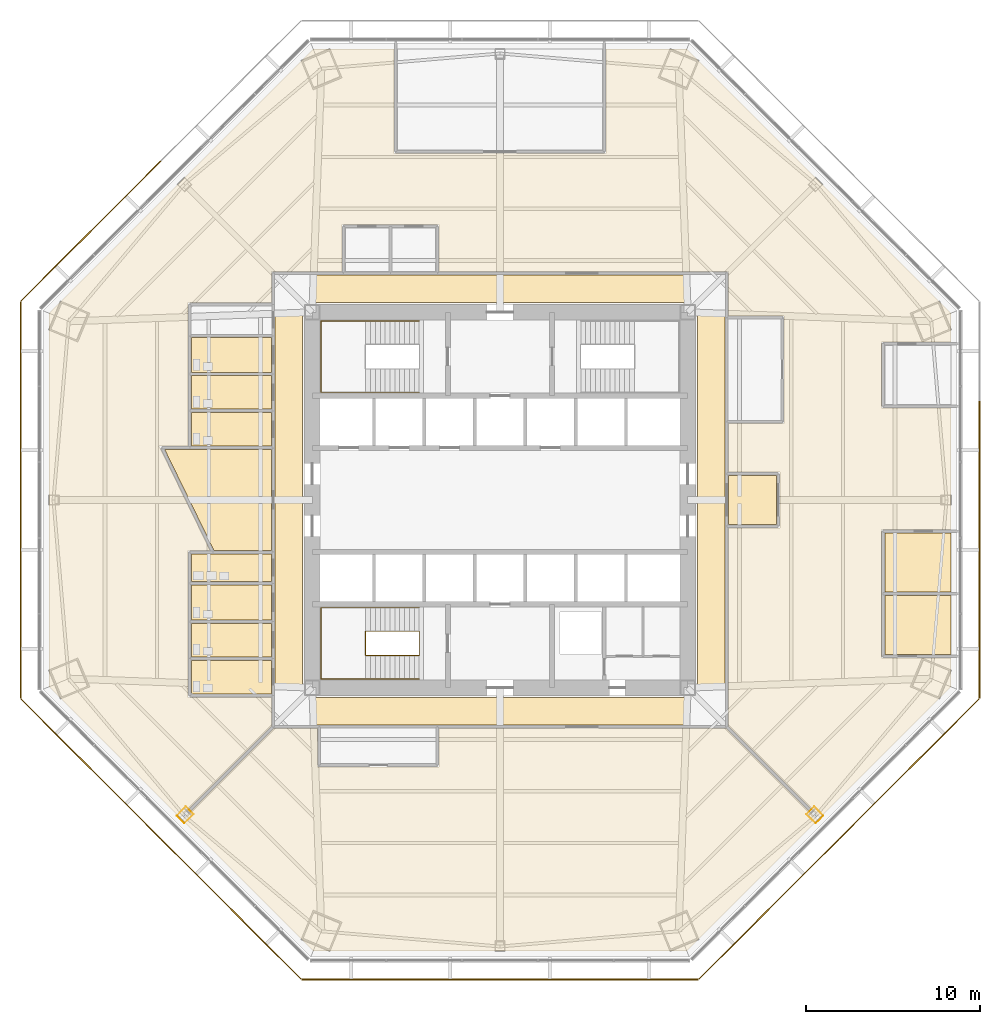
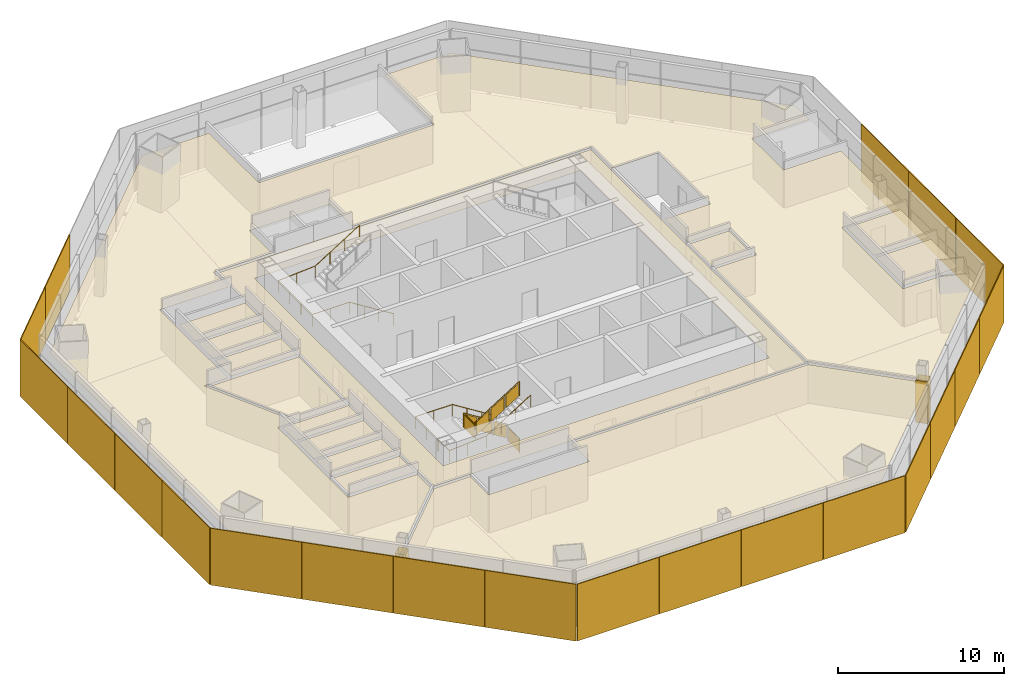
# One storey, part 12 of 14: 21 shading devices, 16 coverings, 3 railings.
"""IFC4 building model written with IfcOpenShell, lengths in metres."""

from ifc_helpers import new_model, si_unit, direction, frame, origin, origin_2d, place, context, subcontext, project, spatial, polyline, rectangle, circle, outline, extrude, source, transform, mapped, material, layer, layer_set, type_object, type_shapes, element, save


model = new_model("IFC4")

# Units and contexts
model_context = context("Model", 3, precision=1e-05, world=origin(), true_north=direction((0.0, 1.0)))
body_context = subcontext(model_context, "Body", "Model", "MODEL_VIEW")
ifc_project = project(units=[si_unit("LENGTHUNIT", "METRE"), si_unit("AREAUNIT", "SQUARE_METRE"), si_unit("VOLUMEUNIT", "CUBIC_METRE"), si_unit("PLANEANGLEUNIT", "RADIAN"), si_unit("MASSUNIT", "GRAM", prefix="KILO")], contexts=[model_context])

# Site, building, storey
site_placement = place(None, origin())
site = spatial("IfcSite", under=ifc_project, at=site_placement, CompositionType="ELEMENT")
building_placement = place(site_placement, origin())
building = spatial("IfcBuilding", under=site, at=building_placement, Name="Mashrafa Tower", CompositionType="ELEMENT")
storey_placement = place(building_placement, frame((0.0, 0.0, 54.0)))
storey = spatial("IfcBuildingStorey", under=building, at=storey_placement, Name="L11", CompositionType="ELEMENT", Elevation=54.0)

# Coverings
ifc_material_1 = material(Name="Gypsum board")
ifc_layer_1 = layer(ifc_material_1, 0.014892578125)
ifc_layer_set_1 = layer_set([ifc_layer_1], Name="Column casing plasterboard 15")
covering_type_1 = type_object("IfcCoveringType", Name="Column casing plasterboard 15", PredefinedType="CLADDING", material=ifc_layer_set_1)
covering_1_placement = place(storey_placement, origin())
element("IfcCovering", 1, at=covering_1_placement, inside=storey, type_object=covering_type_1, Name="Column casing L11-001", PredefinedType="CLADDING", context=body_context, shape_type="SweptSolid", body=[
    extrude(outline(polyline([(-18.609130859375, -18.16357421875), (-18.079345703125, -17.634033203125), (-17.634033203125, -18.079345703125), (-18.16357421875, -18.609130859375), (-18.609130859375, -18.16357421875)]), holes=[polyline([(-17.6552734375, -18.079345703125), (-18.079345703125, -17.6552734375), (-18.587890625, -18.16357421875), (-18.16357421875, -18.587890625), (-17.6552734375, -18.079345703125)])]), origin(), (0.0, 0.0, 1.0), 3.097900390625),
])
covering_2_placement = place(storey_placement, origin())
element("IfcCovering", 2, at=covering_2_placement, inside=storey, type_object=covering_type_1, Name="Column casing L11-002", PredefinedType="CLADDING", context=body_context, shape_type="SweptSolid", body=[
    extrude(outline(polyline([(17.634033203125, -18.079345703125), (18.079345703125, -17.634033203125), (18.609130859375, -18.16357421875), (18.16357421875, -18.609130859375), (17.634033203125, -18.079345703125)]), holes=[polyline([(18.587890625, -18.16357421875), (18.079345703125, -17.6552734375), (17.6552734375, -18.079345703125), (18.16357421875, -18.587890625), (18.587890625, -18.16357421875)])]), origin(), (0.0, 0.0, 1.0), 3.097900390625),
])

# Railings
ifc_material_2 = material(Name="Steel guard with glass infill", Category="steel")
railing_type_1 = type_object("IfcRailingType", Name="Stair guard 1100", PredefinedType="GUARDRAIL", material=ifc_material_2)
railing_1_placement = place(storey_placement, frame((-4.64990234375, -8.949951171875, 0.0)))
element("IfcRailing", 3, at=railing_1_placement, inside=storey, type_object=railing_type_1, Name="Stair S3 guard L11", PredefinedType="GUARDRAIL", context=body_context, shape_type="SweptSolid", body=[
    extrude(circle(Radius=0.02392578125, at=origin_2d()), frame((0.0, 0.0, 1.076171875), z_axis=(0.0, 1.0, 0.0), x_axis=(-1.0, 0.0, 0.0)), (0.0, 0.0, 1.0), 1.39990234375),
    extrude(circle(Radius=0.02392578125, at=origin_2d()), frame((0.0, 1.39990234375, 1.076171875), z_axis=(0.0, 0.0, 1.0), x_axis=(1.0, 0.0, 0.0)), (0.0, 0.0, 1.0), 0.175048828125),
    extrude(circle(Radius=0.02392578125, at=origin_2d()), frame((0.0, 1.39990234375, 1.2509765625), z_axis=(-0.847998304005, 0.0, 0.529998940003), x_axis=(0.0, -1.0, 0.0)), (0.0, 0.0, 1.0), 3.632080078125),
    extrude(circle(Radius=0.02392578125, at=origin_2d()), frame((-3.080078125, 1.39990234375, 3.17626953125), z_axis=(0.0, -1.0, 0.0), x_axis=(1.0, 0.0, 0.0)), (0.0, 0.0, 1.0), 1.39990234375),
    extrude(circle(Radius=0.02392578125, at=origin_2d()), frame((-3.080078125, 0.0, 3.17626953125), z_axis=(0.0, 0.0, 1.0), x_axis=(1.0, 0.0, 0.0)), (0.0, 0.0, 1.0), 0.1748046875),
    extrude(circle(Radius=0.02392578125, at=origin_2d()), frame((-3.080078125, 0.0, 3.35107421875), z_axis=(0.847998304005, 0.0, 0.529998940003), x_axis=(0.0, 1.0, 0.0)), (0.0, 0.0, 1.0), 3.632080078125),
    extrude(circle(Radius=0.02099609375, at=origin_2d()), origin(), (0.0, 0.0, 1.0), 1.052001953125),
    extrude(circle(Radius=0.02099609375, at=origin_2d()), frame((0.0, 1.39990234375, 0.0)), (0.0, 0.0, 1.0), 1.052001953125),
    extrude(circle(Radius=0.02099609375, at=origin_2d()), frame((0.0, 1.39990234375, 0.175048828125)), (0.0, 0.0, 1.0), 1.052001953125),
    extrude(circle(Radius=0.02099609375, at=origin_2d()), frame((-1.026611328125, 1.39990234375, 0.816650390625)), (0.0, 0.0, 1.0), 1.052001953125),
    extrude(circle(Radius=0.02099609375, at=origin_2d()), frame((-2.053466796875, 1.39990234375, 1.45849609375)), (0.0, 0.0, 1.0), 1.052001953125),
    extrude(circle(Radius=0.02099609375, at=origin_2d()), frame((-3.080078125, 1.39990234375, 2.10009765625)), (0.0, 0.0, 1.0), 1.052001953125),
    extrude(circle(Radius=0.02099609375, at=origin_2d()), frame((-3.080078125, 0.0, 2.10009765625)), (0.0, 0.0, 1.0), 1.052001953125),
    extrude(circle(Radius=0.02099609375, at=origin_2d()), frame((-3.080078125, 0.0, 2.27490234375)), (0.0, 0.0, 1.0), 1.052001953125),
    extrude(circle(Radius=0.02099609375, at=origin_2d()), frame((-2.053466796875, 0.0, 2.91650390625)), (0.0, 0.0, 1.0), 1.052001953125),
    extrude(circle(Radius=0.02099609375, at=origin_2d()), frame((-1.026611328125, 0.0, 3.558349609375)), (0.0, 0.0, 1.0), 1.052001953125),
    extrude(circle(Radius=0.02099609375, at=origin_2d()), frame((0.0, 0.0, 4.199951171875)), (0.0, 0.0, 1.0), 1.052001953125),
    extrude(outline(polyline([(0.071044921875, 0.050048828125), (1.328857421875, 0.050048828125), (1.328857421875, 1.001953125), (0.071044921875, 1.001953125), (0.071044921875, 0.050048828125)])), frame((0.006103515625, 0.0, 0.0), z_axis=(1.0, 0.0, 0.0), x_axis=(0.0, 1.0, 0.0)), (0.0, 0.0, 1.0), 0.011962890625),
    extrude(outline(polyline([(0.071044921875, 0.094482421875), (0.955810546875, 0.647216796875), (0.955810546875, 1.599365234375), (0.071044921875, 1.04638671875), (0.071044921875, 0.094482421875)])), frame((0.0, 1.406005859375, 0.175048828125), z_axis=(0.0, 1.0, 0.0), x_axis=(-1.0, 0.0, 0.0)), (0.0, 0.0, 1.0), 0.011962890625),
    extrude(outline(polyline([(1.09765625, 0.736083984375), (1.982421875, 1.2890625), (1.982421875, 2.240966796875), (1.09765625, 1.68798828125), (1.09765625, 0.736083984375)])), frame((0.0, 1.406005859375, 0.175048828125), z_axis=(0.0, 1.0, 0.0), x_axis=(-1.0, 0.0, 0.0)), (0.0, 0.0, 1.0), 0.011962890625),
    extrude(outline(polyline([(2.124267578125, 1.377685546875), (3.009033203125, 1.9306640625), (3.009033203125, 2.882568359375), (2.124267578125, 2.329833984375), (2.124267578125, 1.377685546875)])), frame((0.0, 1.406005859375, 0.175048828125), z_axis=(0.0, 1.0, 0.0), x_axis=(-1.0, 0.0, 0.0)), (0.0, 0.0, 1.0), 0.011962890625),
    extrude(outline(polyline([(0.071044921875, 0.050048828125), (1.328857421875, 0.050048828125), (1.328857421875, 1.001953125), (0.071044921875, 1.001953125), (0.071044921875, 0.050048828125)])), frame((-3.086181640625, 1.39990234375, 2.10009765625), z_axis=(-1.0, 0.0, 0.0), x_axis=(0.0, -1.0, 0.0)), (0.0, 0.0, 1.0), 0.011962890625),
    extrude(outline(polyline([(0.071044921875, 0.094482421875), (0.955810546875, 0.647216796875), (0.955810546875, 1.599365234375), (0.071044921875, 1.04638671875), (0.071044921875, 0.094482421875)])), frame((-3.080078125, -0.006103515625, 2.27490234375), z_axis=(0.0, -1.0, 0.0), x_axis=(1.0, 0.0, 0.0)), (0.0, 0.0, 1.0), 0.011962890625),
    extrude(outline(polyline([(1.09765625, 0.736083984375), (1.982421875, 1.2890625), (1.982421875, 2.240966796875), (1.09765625, 1.68798828125), (1.09765625, 0.736083984375)])), frame((-3.080078125, -0.006103515625, 2.27490234375), z_axis=(0.0, -1.0, 0.0), x_axis=(1.0, 0.0, 0.0)), (0.0, 0.0, 1.0), 0.011962890625),
    extrude(outline(polyline([(2.124267578125, 1.377685546875), (3.009033203125, 1.9306640625), (3.009033203125, 2.882568359375), (2.124267578125, 2.329833984375), (2.124267578125, 1.377685546875)])), frame((-3.080078125, -0.006103515625, 2.27490234375), z_axis=(0.0, -1.0, 0.0), x_axis=(1.0, 0.0, 0.0)), (0.0, 0.0, 1.0), 0.011962890625),
])
ifc_material_3 = material(Name="Steel", Category="steel")
railing_type_2 = type_object("IfcRailingType", Name="Stair handrail 900", PredefinedType="HANDRAIL", material=ifc_material_3)
railing_2_placement = place(storey_placement, frame((-4.64990234375, 6.199951171875, 0.175048828125)))
element("IfcRailing", 4, at=railing_2_placement, inside=storey, type_object=railing_type_2, Name="Stair S1 handrail L11", PredefinedType="HANDRAIL", context=body_context, shape_type="SweptSolid", body=[
    extrude(circle(Radius=0.02392578125, at=origin_2d()), frame((0.0, 0.0, 0.8759765625), z_axis=(-0.847998304005, 0.0, 0.529998940003), x_axis=(0.0, -1.0, 0.0)), (0.0, 0.0, 1.0), 3.632080078125),
    extrude(circle(Radius=0.02392578125, at=origin_2d()), frame((-3.080078125, 0.0, 2.80078125), z_axis=(-1.0, 0.0, 0.0), x_axis=(0.0, -1.0, 0.0)), (0.0, 0.0, 1.0), 2.570068359375),
    extrude(circle(Radius=0.02392578125, at=origin_2d()), frame((-5.650146484375, 0.0, 2.80078125), z_axis=(0.0, 1.0, 0.0), x_axis=(-1.0, 0.0, 0.0)), (0.0, 0.0, 1.0), 4.10009765625),
    extrude(circle(Radius=0.02392578125, at=origin_2d()), frame((-5.650146484375, 4.10009765625, 2.80078125), z_axis=(0.99769493506, 0.0, 0.067858798661), x_axis=(0.0, 1.0, 0.0)), (0.0, 0.0, 1.0), 2.575927734375),
    extrude(circle(Radius=0.02392578125, at=origin_2d()), frame((-3.080078125, 4.10009765625, 2.9755859375), z_axis=(0.847998304005, 0.0, 0.529998940003), x_axis=(0.0, 1.0, 0.0)), (0.0, 0.0, 1.0), 3.632080078125),
    extrude(circle(Radius=0.02099609375, at=origin_2d()), origin(), (0.0, 0.0, 1.0), 0.851806640625),
    extrude(circle(Radius=0.02099609375, at=origin_2d()), frame((-1.026611328125, 0.0, 0.6416015625)), (0.0, 0.0, 1.0), 0.851806640625),
    extrude(circle(Radius=0.02099609375, at=origin_2d()), frame((-2.053466796875, 0.0, 1.283447265625)), (0.0, 0.0, 1.0), 0.851806640625),
    extrude(circle(Radius=0.02099609375, at=origin_2d()), frame((-3.080078125, 0.0, 1.925048828125)), (0.0, 0.0, 1.0), 0.851806640625),
    extrude(circle(Radius=0.02099609375, at=origin_2d()), frame((-4.365234375, 0.0, 1.925048828125)), (0.0, 0.0, 1.0), 0.851806640625),
    extrude(circle(Radius=0.02099609375, at=origin_2d()), frame((-5.650146484375, 0.0, 1.925048828125)), (0.0, 0.0, 1.0), 0.851806640625),
    extrude(circle(Radius=0.02099609375, at=origin_2d()), frame((-5.650146484375, 1.36669921875, 1.925048828125)), (0.0, 0.0, 1.0), 0.851806640625),
    extrude(circle(Radius=0.02099609375, at=origin_2d()), frame((-5.650146484375, 2.7333984375, 1.925048828125)), (0.0, 0.0, 1.0), 0.851806640625),
    extrude(circle(Radius=0.02099609375, at=origin_2d()), frame((-5.650146484375, 4.10009765625, 1.925048828125)), (0.0, 0.0, 1.0), 0.851806640625),
    extrude(circle(Radius=0.02099609375, at=origin_2d()), frame((-4.365234375, 4.10009765625, 2.012451171875)), (0.0, 0.0, 1.0), 0.851806640625),
    extrude(circle(Radius=0.02099609375, at=origin_2d()), frame((-3.080078125, 4.10009765625, 2.099853515625)), (0.0, 0.0, 1.0), 0.851806640625),
    extrude(circle(Radius=0.02099609375, at=origin_2d()), frame((-2.053466796875, 4.10009765625, 2.741455078125)), (0.0, 0.0, 1.0), 0.851806640625),
    extrude(circle(Radius=0.02099609375, at=origin_2d()), frame((-1.026611328125, 4.10009765625, 3.38330078125)), (0.0, 0.0, 1.0), 0.851806640625),
    extrude(circle(Radius=0.02099609375, at=origin_2d()), frame((0.0, 4.10009765625, 4.02490234375)), (0.0, 0.0, 1.0), 0.851806640625),
])
railing_3_placement = place(storey_placement, frame((-4.64990234375, -6.199951171875, 0.175048828125)))
element("IfcRailing", 5, at=railing_3_placement, inside=storey, type_object=railing_type_2, Name="Stair S3 handrail L11", PredefinedType="HANDRAIL", context=body_context, shape_type="SweptSolid", body=[
    extrude(circle(Radius=0.02392578125, at=origin_2d()), frame((0.0, 0.0, 0.8759765625), z_axis=(-0.847998304005, 0.0, 0.529998940003), x_axis=(0.0, -1.0, 0.0)), (0.0, 0.0, 1.0), 3.632080078125),
    extrude(circle(Radius=0.02392578125, at=origin_2d()), frame((-3.080078125, 0.0, 2.80078125), z_axis=(-1.0, 0.0, 0.0), x_axis=(0.0, -1.0, 0.0)), (0.0, 0.0, 1.0), 2.570068359375),
    extrude(circle(Radius=0.02392578125, at=origin_2d()), frame((-5.650146484375, 0.0, 2.80078125), z_axis=(0.0, -1.0, 0.0), x_axis=(1.0, 0.0, 0.0)), (0.0, 0.0, 1.0), 4.10009765625),
    extrude(circle(Radius=0.02392578125, at=origin_2d()), frame((-5.650146484375, -4.10009765625, 2.80078125), z_axis=(0.99769493506, 0.0, 0.067858798661), x_axis=(0.0, 1.0, 0.0)), (0.0, 0.0, 1.0), 2.575927734375),
    extrude(circle(Radius=0.02392578125, at=origin_2d()), frame((-3.080078125, -4.10009765625, 2.9755859375), z_axis=(0.847998304005, 0.0, 0.529998940003), x_axis=(0.0, 1.0, 0.0)), (0.0, 0.0, 1.0), 3.632080078125),
    extrude(circle(Radius=0.02099609375, at=origin_2d()), origin(), (0.0, 0.0, 1.0), 0.851806640625),
    extrude(circle(Radius=0.02099609375, at=origin_2d()), frame((-1.026611328125, 0.0, 0.6416015625)), (0.0, 0.0, 1.0), 0.851806640625),
    extrude(circle(Radius=0.02099609375, at=origin_2d()), frame((-2.053466796875, 0.0, 1.283447265625)), (0.0, 0.0, 1.0), 0.851806640625),
    extrude(circle(Radius=0.02099609375, at=origin_2d()), frame((-3.080078125, 0.0, 1.925048828125)), (0.0, 0.0, 1.0), 0.851806640625),
    extrude(circle(Radius=0.02099609375, at=origin_2d()), frame((-4.365234375, 0.0, 1.925048828125)), (0.0, 0.0, 1.0), 0.851806640625),
    extrude(circle(Radius=0.02099609375, at=origin_2d()), frame((-5.650146484375, 0.0, 1.925048828125)), (0.0, 0.0, 1.0), 0.851806640625),
    extrude(circle(Radius=0.02099609375, at=origin_2d()), frame((-5.650146484375, -1.36669921875, 1.925048828125)), (0.0, 0.0, 1.0), 0.851806640625),
    extrude(circle(Radius=0.02099609375, at=origin_2d()), frame((-5.650146484375, -2.7333984375, 1.925048828125)), (0.0, 0.0, 1.0), 0.851806640625),
    extrude(circle(Radius=0.02099609375, at=origin_2d()), frame((-5.650146484375, -4.10009765625, 1.925048828125)), (0.0, 0.0, 1.0), 0.851806640625),
    extrude(circle(Radius=0.02099609375, at=origin_2d()), frame((-4.365234375, -4.10009765625, 2.012451171875)), (0.0, 0.0, 1.0), 0.851806640625),
    extrude(circle(Radius=0.02099609375, at=origin_2d()), frame((-3.080078125, -4.10009765625, 2.099853515625)), (0.0, 0.0, 1.0), 0.851806640625),
    extrude(circle(Radius=0.02099609375, at=origin_2d()), frame((-2.053466796875, -4.10009765625, 2.741455078125)), (0.0, 0.0, 1.0), 0.851806640625),
    extrude(circle(Radius=0.02099609375, at=origin_2d()), frame((-1.026611328125, -4.10009765625, 3.38330078125)), (0.0, 0.0, 1.0), 0.851806640625),
    extrude(circle(Radius=0.02099609375, at=origin_2d()), frame((0.0, -4.10009765625, 4.02490234375)), (0.0, 0.0, 1.0), 0.851806640625),
])

# Coverings
ifc_material_4 = material(Name="Mineral fibre tile on suspension grid")
ifc_layer_2 = layer(ifc_material_4, 0.014892578125)
ifc_layer_set_2 = layer_set([ifc_layer_2], Name="Suspended ceiling mineral tile 15")
covering_type_2 = type_object("IfcCoveringType", Name="Suspended ceiling mineral tile 15", PredefinedType="CEILING", material=ifc_layer_set_2)
covering_3_placement = place(storey_placement, frame((0.0, 0.0, 2.85009765625)))
element("IfcCovering", 6, at=covering_3_placement, inside=storey, type_object=covering_type_2, Name="Ceiling Office Corridor L11", PredefinedType="CEILING", context=body_context, shape_type="SweptSolid", body=[
    extrude(outline(polyline([(-12.949951171875, -12.949951171875), (-12.949951171875, 12.949951171875), (12.949951171875, 12.949951171875), (12.949951171875, -12.949951171875), (-12.949951171875, -12.949951171875)]), holes=[polyline([(11.35009765625, 11.35009765625), (-11.35009765625, 11.35009765625), (-11.35009765625, -11.35009765625), (11.35009765625, -11.35009765625), (11.35009765625, 11.35009765625)])]), origin(), (0.0, 0.0, 1.0), 0.014892578125),
])
covering_4_placement = place(storey_placement, frame((0.0, 0.0, 2.89990234375)))
element("IfcCovering", 7, at=covering_4_placement, inside=storey, type_object=covering_type_2, Name="Ceiling WC Female L11 N", PredefinedType="CEILING", context=body_context, shape_type="SweptSolid", body=[
    extrude(outline(polyline([(-17.75, 3.10009765625), (-17.75, 5.02490234375), (-13.14990234375, 5.02490234375), (-13.14990234375, 3.10009765625), (-17.75, 3.10009765625)])), origin(), (0.0, 0.0, 1.0), 0.01513671875),
])
covering_5_placement = place(storey_placement, frame((0.0, 0.0, 2.89990234375)))
element("IfcCovering", 8, at=covering_5_placement, inside=storey, type_object=covering_type_2, Name="Ceiling WC Male L11 N", PredefinedType="CEILING", context=body_context, shape_type="SweptSolid", body=[
    extrude(outline(polyline([(-17.75, 5.22509765625), (-17.75, 7.14990234375), (-13.14990234375, 7.14990234375), (-13.14990234375, 5.22509765625), (-17.75, 5.22509765625)])), origin(), (0.0, 0.0, 1.0), 0.01513671875),
])
covering_6_placement = place(storey_placement, frame((0.0, 0.0, 2.89990234375)))
element("IfcCovering", 9, at=covering_6_placement, inside=storey, type_object=covering_type_2, Name="Ceiling Accessible WC L11 N", PredefinedType="CEILING", context=body_context, shape_type="SweptSolid", body=[
    extrude(outline(polyline([(-17.75, 7.35009765625), (-17.75, 9.35009765625), (-13.14990234375, 9.35009765625), (-13.14990234375, 7.35009765625), (-17.75, 7.35009765625)])), origin(), (0.0, 0.0, 1.0), 0.01513671875),
])
covering_7_placement = place(storey_placement, frame((0.0, 0.0, 2.89990234375)))
element("IfcCovering", 10, at=covering_7_placement, inside=storey, type_object=covering_type_2, Name="Ceiling WC Female L11 S", PredefinedType="CEILING", context=body_context, shape_type="SweptSolid", body=[
    extrude(outline(polyline([(-17.75, -11.14990234375), (-17.75, -9.22509765625), (-13.14990234375, -9.22509765625), (-13.14990234375, -11.14990234375), (-17.75, -11.14990234375)])), origin(), (0.0, 0.0, 1.0), 0.01513671875),
])
covering_8_placement = place(storey_placement, frame((0.0, 0.0, 2.89990234375)))
element("IfcCovering", 11, at=covering_8_placement, inside=storey, type_object=covering_type_2, Name="Ceiling WC Male L11 S", PredefinedType="CEILING", context=body_context, shape_type="SweptSolid", body=[
    extrude(outline(polyline([(-17.75, -9.02490234375), (-17.75, -7.10009765625), (-13.14990234375, -7.10009765625), (-13.14990234375, -9.02490234375), (-17.75, -9.02490234375)])), origin(), (0.0, 0.0, 1.0), 0.01513671875),
])
covering_9_placement = place(storey_placement, frame((0.0, 0.0, 2.89990234375)))
element("IfcCovering", 12, at=covering_9_placement, inside=storey, type_object=covering_type_2, Name="Ceiling Accessible WC L11 S", PredefinedType="CEILING", context=body_context, shape_type="SweptSolid", body=[
    extrude(outline(polyline([(-17.75, -6.89990234375), (-17.75, -4.89990234375), (-13.14990234375, -4.89990234375), (-13.14990234375, -6.89990234375), (-17.75, -6.89990234375)])), origin(), (0.0, 0.0, 1.0), 0.01513671875),
])
covering_10_placement = place(storey_placement, frame((0.0, 0.0, 2.89990234375)))
element("IfcCovering", 13, at=covering_10_placement, inside=storey, type_object=covering_type_2, Name="Ceiling Ablution Room L11 S", PredefinedType="CEILING", context=body_context, shape_type="SweptSolid", body=[
    extrude(outline(polyline([(-17.75, -4.699951171875), (-17.75, -3.10009765625), (-13.14990234375, -3.10009765625), (-13.14990234375, -4.699951171875), (-17.75, -4.699951171875)])), origin(), (0.0, 0.0, 1.0), 0.01513671875),
])
covering_11_placement = place(storey_placement, frame((0.0, 0.0, 2.85009765625)))
element("IfcCovering", 14, at=covering_11_placement, inside=storey, type_object=covering_type_2, Name="Ceiling Musallah Prayer Room 11", PredefinedType="CEILING", context=body_context, shape_type="SweptSolid", body=[
    extrude(outline(polyline([(-16.461181640625, -2.89990234375), (-19.2900390625, 2.89990234375), (-13.14990234375, 2.89990234375), (-13.14990234375, -2.89990234375), (-16.461181640625, -2.89990234375)])), origin(), (0.0, 0.0, 1.0), 0.014892578125),
])
covering_12_placement = place(storey_placement, frame((0.0, 0.0, 2.89990234375)))
element("IfcCovering", 15, at=covering_12_placement, inside=storey, type_object=covering_type_2, Name="Ceiling Meeting Room 11-1", PredefinedType="CEILING", context=body_context, shape_type="SweptSolid", body=[
    extrude(outline(polyline([(22.13720703125, -5.5), (25.93701171875, -5.5), (25.93701171875, -8.89990234375), (22.13720703125, -8.89990234375), (22.13720703125, -5.5)])), origin(), (0.0, 0.0, 1.0), 0.01513671875),
])
covering_13_placement = place(storey_placement, frame((0.0, 0.0, 2.89990234375)))
element("IfcCovering", 16, at=covering_13_placement, inside=storey, type_object=covering_type_2, Name="Ceiling Meeting Room 11-2", PredefinedType="CEILING", context=body_context, shape_type="SweptSolid", body=[
    extrude(outline(polyline([(22.13720703125, -1.89990234375), (25.93701171875, -1.89990234375), (25.93701171875, -5.300048828125), (22.13720703125, -5.300048828125), (22.13720703125, -1.89990234375)])), origin(), (0.0, 0.0, 1.0), 0.01513671875),
])
covering_14_placement = place(storey_placement, frame((0.0, 0.0, 2.85009765625)))
element("IfcCovering", 17, at=covering_14_placement, inside=storey, type_object=covering_type_2, Name="Ceiling Trading Floor Entrance Lobby 11", PredefinedType="CEILING", context=body_context, shape_type="SweptSolid", body=[
    extrude(outline(polyline([(13.14990234375, 1.39990234375), (15.89990234375, 1.39990234375), (15.89990234375, -1.39990234375), (13.14990234375, -1.39990234375), (13.14990234375, 1.39990234375)])), origin(), (0.0, 0.0, 1.0), 0.014892578125),
])
covering_15_placement = place(storey_placement, frame((0.0, 0.0, 2.85009765625)))
element("IfcCovering", 18, at=covering_15_placement, inside=storey, type_object=covering_type_2, Name="Ceiling Trading Floor 11", PredefinedType="CEILING", context=body_context, shape_type="SweptSolid", body=[
    extrude(outline(polyline([(-13.14990234375, -13.008544921875), (-18.410888671875, -18.26953125), (-25.93701171875, -10.743408203125), (-25.93701171875, 10.743408203125), (-10.743408203125, 25.93701171875), (-6.10009765625, 25.93701171875), (-6.10009765625, 19.93701171875), (6.10009765625, 19.93701171875), (6.10009765625, 25.93701171875), (10.743408203125, 25.93701171875), (25.93701171875, 10.743408203125), (25.93701171875, 9.10009765625), (21.93701171875, 9.10009765625), (21.93701171875, 5.300048828125), (25.93701171875, 5.300048828125), (25.93701171875, -1.699951171875), (21.93701171875, -1.699951171875), (21.93701171875, -9.10009765625), (25.93701171875, -9.10009765625), (25.93701171875, -10.743408203125), (18.410888671875, -18.26953125), (13.14990234375, -13.008544921875), (13.14990234375, -1.60009765625), (16.10009765625, -1.60009765625), (16.10009765625, 1.60009765625), (13.14990234375, 1.60009765625), (13.14990234375, 4.39990234375), (16.35009765625, 4.39990234375), (16.35009765625, 10.60009765625), (13.14990234375, 10.60009765625), (13.14990234375, 13.14990234375), (-3.5, 13.14990234375), (-3.5, 15.85009765625), (-9.10009765625, 15.85009765625), (-9.10009765625, 13.14990234375), (-13.14990234375, 13.14990234375), (-13.14990234375, 11.35009765625), (-17.949951171875, 11.35009765625), (-17.949951171875, 3.10009765625), (-19.610107421875, 3.10009765625), (-16.68359375, -2.89990234375), (-17.949951171875, -2.89990234375), (-17.949951171875, -11.35009765625), (-13.14990234375, -11.35009765625), (-13.14990234375, -13.008544921875)])), origin(), (0.0, 0.0, 1.0), 0.014892578125),
])
covering_16_placement = place(storey_placement, frame((0.0, 0.0, 2.85009765625)))
element("IfcCovering", 19, at=covering_16_placement, inside=storey, type_object=covering_type_2, Name="Ceiling Research and Sales Office 11", PredefinedType="CEILING", context=body_context, shape_type="SweptSolid", body=[
    extrude(outline(polyline([(13.008544921875, -13.14990234375), (18.26953125, -18.410888671875), (10.743408203125, -25.93701171875), (-10.743408203125, -25.93701171875), (-18.26953125, -18.410888671875), (-13.008544921875, -13.14990234375), (-10.5, -13.14990234375), (-10.5, -15.35009765625), (-3.5, -15.35009765625), (-3.5, -13.14990234375), (13.008544921875, -13.14990234375)])), origin(), (0.0, 0.0, 1.0), 0.014892578125),
])

# Shading devices
ifc_material_5 = material(Name="Perforated aluminium plate, eight-point star pattern", Category="aluminium")
ifc_layer_3 = layer(ifc_material_5, 0.06005859375)
ifc_layer_set_3 = layer_set([ifc_layer_3], Name="Mashrabiya screen panel office zone 1, 45 percent open")
shading_device_type = type_object("IfcShadingDeviceType", Name="Mashrabiya screen panel office zone 1, 45 percent open", PredefinedType="SHUTTER", material=ifc_layer_set_3)
shared_shape = source(origin(), body_context, "Body", "SweptSolid", [
    extrude(rectangle(XDim=5.682373046875, YDim=0.06005859375, at=origin_2d()), origin(), (0.0, 0.0, 1.0), 4.179931640625),
])
type_shapes(shading_device_type, [shared_shape])
for number, where, z_axis, x_axis, name in (
    (20, (27.587158203125, -8.553466796875, -0.14990234375), (0.0, 0.0, 1.0), (0.0, 1.0, 0.0), "Mashrabiya screen L11 east 1"),
    (21, (27.587158203125, -2.85107421875, -0.14990234375), (0.0, 0.0, 1.0), (0.0, 1.0, 0.0), "Mashrabiya screen L11 east 2"),
    (22, (27.587158203125, 2.85107421875, -0.14990234375), (0.0, 0.0, 1.0), (0.0, 1.0, 0.0), "Mashrabiya screen L11 east 3"),
    (23, (-21.523193359375, 17.490966796875, -0.14990234375), (0.0, 0.0, 1.0), (-0.707106781187, -0.707106781187, 0.0), "Mashrabiya screen L11 north-west 3"),
    (24, (-25.55517578125, 13.458984375, -0.14990234375), (0.0, 0.0, 1.0), (-0.707106781187, -0.707106781187, 0.0), "Mashrabiya screen L11 north-west 4"),
    (25, (-27.587158203125, 8.553466796875, -0.14990234375), (0.0, 0.0, 1.0), (0.0, -1.0, 0.0), "Mashrabiya screen L11 west 1"),
    (26, (-27.587158203125, 2.85107421875, -0.14990234375), (0.0, 0.0, 1.0), (0.0, -1.0, 0.0), "Mashrabiya screen L11 west 2"),
    (27, (-27.587158203125, -2.85107421875, -0.14990234375), (0.0, 0.0, 1.0), (0.0, -1.0, 0.0), "Mashrabiya screen L11 west 3"),
    (28, (-27.587158203125, -8.553466796875, -0.14990234375), (0.0, 0.0, 1.0), (0.0, -1.0, 0.0), "Mashrabiya screen L11 west 4"),
    (29, (-25.55517578125, -13.458984375, -0.14990234375), (0.0, 0.0, 1.0), (0.707106781187, -0.707106781187, 0.0), "Mashrabiya screen L11 south-west 1"),
    (30, (-21.523193359375, -17.490966796875, -0.14990234375), (0.0, 0.0, 1.0), (0.707106781187, -0.707106781187, 0.0), "Mashrabiya screen L11 south-west 2"),
    (31, (-17.490966796875, -21.523193359375, -0.14990234375), (0.0, 0.0, 1.0), (0.707106781187, -0.707106781187, 0.0), "Mashrabiya screen L11 south-west 3"),
    (32, (-13.458984375, -25.55517578125, -0.14990234375), (0.0, 0.0, 1.0), (0.707106781187, -0.707106781187, 0.0), "Mashrabiya screen L11 south-west 4"),
    (33, (-8.553466796875, -27.587158203125, -0.14990234375), (0.0, 0.0, 1.0), (1.0, 0.0, 0.0), "Mashrabiya screen L11 south 1"),
    (34, (-2.85107421875, -27.587158203125, -0.14990234375), (0.0, 0.0, 1.0), (1.0, 0.0, 0.0), "Mashrabiya screen L11 south 2"),
    (35, (2.85107421875, -27.587158203125, -0.14990234375), (0.0, 0.0, 1.0), (1.0, 0.0, 0.0), "Mashrabiya screen L11 south 3"),
    (36, (8.553466796875, -27.587158203125, -0.14990234375), (0.0, 0.0, 1.0), (1.0, 0.0, 0.0), "Mashrabiya screen L11 south 4"),
    (37, (13.458984375, -25.55517578125, -0.14990234375), (0.0, 0.0, 1.0), (0.707106781187, 0.707106781187, 0.0), "Mashrabiya screen L11 south-east 1"),
    (38, (17.490966796875, -21.523193359375, -0.14990234375), (0.0, 0.0, 1.0), (0.707106781187, 0.707106781187, 0.0), "Mashrabiya screen L11 south-east 2"),
    (39, (21.523193359375, -17.490966796875, -0.14990234375), (0.0, 0.0, 1.0), (0.707106781187, 0.707106781187, 0.0), "Mashrabiya screen L11 south-east 3"),
    (40, (25.55517578125, -13.458984375, -0.14990234375), (0.0, 0.0, 1.0), (0.707106781187, 0.707106781187, 0.0), "Mashrabiya screen L11 south-east 4"),
):
    element("IfcShadingDevice", number, at=place(storey_placement, frame(where, z_axis=z_axis, x_axis=x_axis)), inside=storey, type_object=shading_device_type, Name=name, PredefinedType="SHUTTER", context=body_context, shape_type="MappedRepresentation", body=[
        mapped(shared_shape, transform((0.0, 0.0, 0.0))),
    ])

save(model, "model.ifc")
